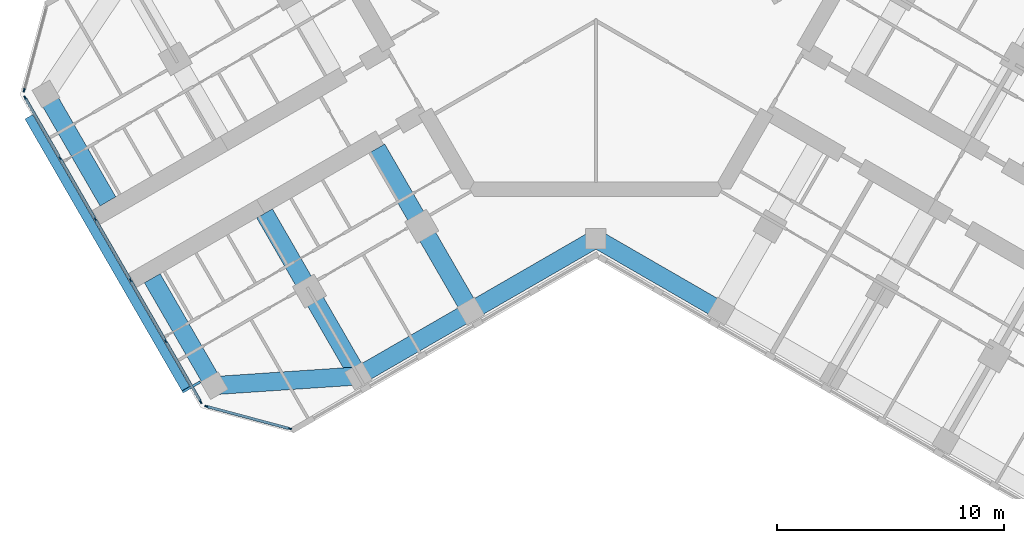
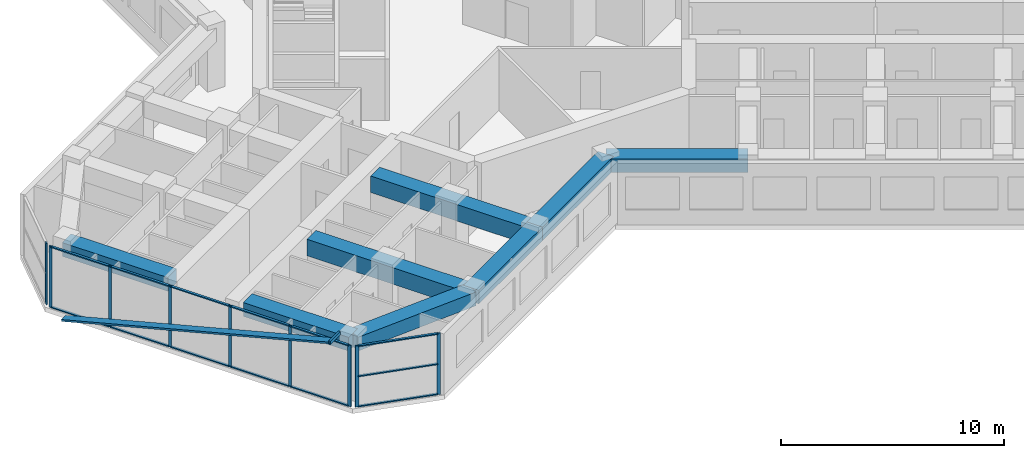
# One storey, part 2 of 16: 24 members, 8 beams, 3 elements without a shape of their own.
"""IFC4 building model written with IfcOpenShell, lengths in metres."""

import ifcopenshell
import ifcopenshell.guid

model = None  # the IFC model being written
_history = None  # IfcOwnerHistory: only IFC2X3 demands one
_inside = {}  # id of a spatial element -> (the spatial element, [elements in it])
_under = {}  # id of a project, library or spatial element -> (it, [spatial elements below it])
_declared = {}  # id of a project -> (the project, [libraries it declares])
_typed = {}  # id of a type object -> (the type object, [elements of that type])
_made_of = {}  # id of a material, layer set ... -> (it, [elements and type objects made of it])


def new_model(schema):
    """Start an empty IFC model of exactly this schema.

    Asked for "IFC4X3", IfcOpenShell would pick the latest addendum, in which some entities
    have other attributes; the version numbers below select the first issue.
    IFC2X3 requires an IfcOwnerHistory on every rooted entity: one is made here for all.
    """
    global model, _history
    if schema == "IFC4X3":
        model = ifcopenshell.file(schema_version=(4, 3, 0, 0))
    else:
        model = ifcopenshell.file(schema=schema)
    _inside.clear()
    _under.clear()
    _declared.clear()
    _typed.clear()
    _made_of.clear()
    _history = None
    if model.schema == "IFC2X3":
        org = make("IfcOrganization", Name="unknown")
        user = make(
            "IfcPersonAndOrganization",
            ThePerson=make("IfcPerson", FamilyName="unknown"),
            TheOrganization=org,
        )
        app = make(
            "IfcApplication",
            ApplicationDeveloper=org,
            Version="unknown",
            ApplicationFullName="unknown",
            ApplicationIdentifier="unknown",
        )
        _history = make(
            "IfcOwnerHistory",
            OwningUser=user,
            OwningApplication=app,
            ChangeAction="ADDED",
            CreationDate=0,
        )
    return model


def make(cls, **values):
    """One entity of the class cls with the attributes given. An attribute that is None is left unset."""
    return model.create_entity(
        cls, **{name: value for name, value in values.items() if value is not None}
    )


def rooted(cls, **values):
    """An entity with a GlobalId (a new one), such as an element, a storey or a relation."""
    return make(cls, GlobalId=ifcopenshell.guid.new(), OwnerHistory=_history, **values)


def si_unit(unit_type, name, prefix=None):
    """IfcSIUnit, for example si_unit("LENGTHUNIT", "METRE", prefix="MILLI")."""
    return make("IfcSIUnit", UnitType=unit_type, Prefix=prefix, Name=name)


def assignment(units):
    """IfcUnitAssignment: the units of a project."""
    return None if units is None else make("IfcUnitAssignment", Units=units)


def point(xyz):
    """IfcCartesianPoint."""
    return None if xyz is None else make("IfcCartesianPoint", Coordinates=xyz)


def direction(xyz):
    """IfcDirection."""
    return None if xyz is None else make("IfcDirection", DirectionRatios=xyz)


def frame(location, z_axis=None, x_axis=None):
    """IfcAxis2Placement3D, a coordinate frame: its origin and axes. An axis left out is left unset."""
    return make(
        "IfcAxis2Placement3D",
        Location=point(location),
        Axis=direction(z_axis),
        RefDirection=direction(x_axis),
    )


def frame_2d(location, x_axis=None):
    """IfcAxis2Placement2D, a coordinate frame in the plane: its origin and x axis."""
    return make(
        "IfcAxis2Placement2D", Location=point(location), RefDirection=direction(x_axis)
    )


def origin():
    """The frame at (0, 0, 0) with its axes left unset."""
    return frame((0.0, 0.0, 0.0))


def origin_2d():
    """The frame at (0, 0) in the plane with its x axis left unset."""
    return frame_2d((0.0, 0.0))


def place(relative_to, where):
    """IfcLocalPlacement: puts the frame where relative to a parent placement (None: the world)."""
    return make(
        "IfcLocalPlacement", PlacementRelTo=relative_to, RelativePlacement=where
    )


def context(
    kind, dimensions, precision=None, world=None, true_north=None, identifier=None
):
    """IfcGeometricRepresentationContext, for example the 3D "Model" context."""
    return make(
        "IfcGeometricRepresentationContext",
        ContextIdentifier=identifier,
        ContextType=kind,
        CoordinateSpaceDimension=dimensions,
        Precision=precision,
        WorldCoordinateSystem=world,
        TrueNorth=true_north,
    )


def subcontext(parent, identifier, kind, view, scale=None):
    """IfcGeometricRepresentationSubContext, for example "Body" below "Model"."""
    return make(
        "IfcGeometricRepresentationSubContext",
        ContextIdentifier=identifier,
        ContextType=kind,
        ParentContext=parent,
        TargetScale=scale,
        TargetView=view,
    )


def project(units=None, contexts=None):
    """IfcProject with its units and contexts."""
    return rooted(
        "IfcProject",
        Name="project",
        RepresentationContexts=contexts,
        UnitsInContext=assignment(units),
    )


def spatial(cls, under=None, at=None, **own):
    """A site, building, storey or space (cls), placed at a placement, below another one or the project."""
    s = rooted(cls, ObjectPlacement=at, **own)
    if under is not None:
        _under.setdefault(under.id(), (under, []))[1].append(s)
    return s


def profile(cls, at=None, kind="AREA", **sizes):
    """A parametric profile (cls). Its sizes go by their IFC names, for example OverallWidth=200.0."""
    return make(cls, ProfileType=kind, Position=at, **sizes)


def rectangle(**sizes):
    """IfcRectangleProfileDef."""
    return profile("IfcRectangleProfileDef", **sizes)


def hollow_rectangle(**sizes):
    """IfcRectangleHollowProfileDef."""
    return profile("IfcRectangleHollowProfileDef", **sizes)


def extrude(swept, where, along, depth):
    """IfcExtrudedAreaSolid: the profile swept, set in the frame where, extruded along a direction by depth."""
    return make(
        "IfcExtrudedAreaSolid",
        SweptArea=swept,
        Position=where,
        ExtrudedDirection=direction(along),
        Depth=depth,
    )


def shape(context_of_items, identifier, shape_type, items):
    """IfcShapeRepresentation: the items that make up one representation, for example the "Body"."""
    return make(
        "IfcShapeRepresentation",
        ContextOfItems=context_of_items,
        RepresentationIdentifier=identifier,
        RepresentationType=shape_type,
        Items=items,
    )


def material(Name=None, Category=None):
    """IfcMaterial."""
    return make("IfcMaterial", Name=Name, Category=Category)


def material_profile(
    of_material, cross_section, Name=None, Category=None, Priority=None
):
    """IfcMaterialProfile: a cross section and its material."""
    return make(
        "IfcMaterialProfile",
        Name=Name,
        Material=of_material,
        Profile=cross_section,
        Priority=Priority,
        Category=Category,
    )


def profile_set(profiles, Name=None, composite=None):
    """IfcMaterialProfileSet."""
    return make(
        "IfcMaterialProfileSet",
        Name=Name,
        MaterialProfiles=profiles,
        CompositeProfile=composite,
    )


def made_of(thing, what):
    """Note that an element or type object is made of a material, layer set ...; save() writes the relation."""
    if what is not None:
        _made_of.setdefault(what.id(), (what, []))[1].append(thing)
    return thing


def type_object(cls, material=None, **own):
    """A type object (cls), such as IfcWallType, which elements share."""
    return made_of(rooted(cls, **own), material)


def element(
    cls,
    number,
    at=None,
    inside=None,
    cuts=None,
    type_object=None,
    material=None,
    context=None,
    identifier="Body",
    shape_type=None,
    held_by="IfcProductDefinitionShape",
    body=None,
    shapes=None,
    **own,
):
    """One element of the class cls, such as IfcWall. Its Tag is "e" and its number.

    at: its placement. inside: the storey or other place that contains it. cuts: it is an
    opening in that element (IfcRelVoidsElement). A single representation is given by context,
    identifier, shape_type and body (its items); several are given by shapes. held_by: the class
    of the entity that holds the representations. save() writes the other relations.
    """
    e = rooted(cls, Tag="e%d" % number, ObjectPlacement=at, **own)
    if body is not None:
        shapes = [shape(context, identifier, shape_type, body)]
    if shapes is not None:
        e.Representation = make(held_by, Representations=shapes)
    if inside is not None:
        _inside.setdefault(inside.id(), (inside, []))[1].append(e)
    if cuts is not None:
        rooted(
            "IfcRelVoidsElement", RelatingBuildingElement=cuts, RelatedOpeningElement=e
        )
    if type_object is not None:
        _typed.setdefault(type_object.id(), (type_object, []))[1].append(e)
    return made_of(e, material)


def aggregate(whole, parts):
    """IfcRelAggregates: a whole, such as a stair, and the parts it consists of."""
    return rooted("IfcRelAggregates", RelatingObject=whole, RelatedObjects=parts)


def save(model, path):
    """Write the relations noted so far, then the file.

    IfcRelAggregates (storeys below a building ...), IfcRelContainedInSpatialStructure (elements
    in a storey), IfcRelDefinesByType, IfcRelAssociatesMaterial and IfcRelDeclares: one each for
    every whole, place, type object, material and project.
    """
    for whole, parts in _under.values():
        aggregate(whole, parts)
    for where, things in _inside.values():
        rooted(
            "IfcRelContainedInSpatialStructure",
            RelatedElements=things,
            RelatingStructure=where,
        )
    for kind, things in _typed.values():
        rooted("IfcRelDefinesByType", RelatedObjects=things, RelatingType=kind)
    for what, things in _made_of.values():
        rooted("IfcRelAssociatesMaterial", RelatedObjects=things, RelatingMaterial=what)
    for by, libraries in _declared.values():
        rooted("IfcRelDeclares", RelatingContext=by, RelatedDefinitions=libraries)
    model.write(path)


model = new_model("IFC4")

# Units and contexts
model_context = context("Model", 3, precision=1e-05, world=origin(), true_north=direction((0.0, 1.0)))
body_context = subcontext(model_context, "Body", "Model", "MODEL_VIEW")
ifc_project = project(units=[si_unit("LENGTHUNIT", "METRE"), si_unit("AREAUNIT", "SQUARE_METRE"), si_unit("VOLUMEUNIT", "CUBIC_METRE"), si_unit("PLANEANGLEUNIT", "RADIAN"), si_unit("MASSUNIT", "GRAM", prefix="KILO")], contexts=[model_context])

# Site, building, storey
site_placement = place(None, origin())
site = spatial("IfcSite", under=ifc_project, at=site_placement, CompositionType="ELEMENT")
building_placement = place(site_placement, origin())
building = spatial("IfcBuilding", under=site, at=building_placement, Name="Kosmar Iwan School Tower", CompositionType="ELEMENT")
storey_placement = place(building_placement, frame((0.0, 0.0, 215.39990234375)))
storey = spatial("IfcBuildingStorey", under=building, at=storey_placement, Name="L54", CompositionType="ELEMENT", Elevation=215.39990234375)

# Members
ifc_material_1 = material(Name="Black anodised aluminium", Category="aluminium")
ifc_material_profile_1 = material_profile(ifc_material_1, rectangle(XDim=0.10009765625, YDim=0.39990234375, at=origin_2d()), Name="FIN 100x400")
ifc_profile_set_1 = profile_set([ifc_material_profile_1], Name="Black anodised aluminium")
member_type_1 = type_object("IfcMemberType", Name="Diagonal fin 100x400", PredefinedType="USERDEFINED", material=ifc_profile_set_1)
member_1_placement = place(storey_placement, frame((-24.926513671875, -6.426025390625, -0.14990234375), z_axis=(0.483800388566, -0.837965217343, 0.2524905514), x_axis=(-0.126245460598, 0.218663124976, 0.96759935999)))
element("IfcMember", 1, at=member_1_placement, inside=storey, type_object=member_type_1, Name="Diagonal fin L54-F11", ObjectType="FIN", PredefinedType="USERDEFINED", context=body_context, shape_type="SweptSolid", body=[
    extrude(rectangle(XDim=0.10009765625, YDim=0.39990234375, at=origin_2d()), origin(), (0.0, 0.0, 1.0), 14.25830078125),
])
ifc_material_2 = material(Name="Steel S355", Category="steel")
ifc_material_profile_2 = material_profile(ifc_material_2, hollow_rectangle(XDim=0.10009765625, YDim=0.199951171875, WallThickness=0.008056640625, at=origin_2d()), Name="RHS 200x100x8")
ifc_profile_set_2 = profile_set([ifc_material_profile_2], Name="Steel S355")
member_type_2 = type_object("IfcMemberType", Name="Fin bracket RHS 200x100", PredefinedType="USERDEFINED", material=ifc_profile_set_2)
member_2_placement = place(storey_placement, frame((-17.396240234375, -18.06884765625, 3.47509765625), z_axis=(-0.866013897511, -0.50001992892, 0.0), x_axis=(0.50001992892, -0.866013897511, 0.0)))
element("IfcMember", 2, at=member_2_placement, inside=storey, type_object=member_type_2, Name="Fin bracket L55", ObjectType="FIN BRACKET", PredefinedType="USERDEFINED", context=body_context, shape_type="SweptSolid", body=[
    extrude(hollow_rectangle(XDim=0.10009765625, YDim=0.199951171875, WallThickness=0.008056640625, at=origin_2d()), origin(), (0.0, 0.0, 1.0), 0.89990234375),
])

# Curtain wall, member
ifc_material_3 = material(Name="Dark glass in black aluminium frame", Category="aluminium")
curtain_wall_type_1 = type_object("IfcCurtainWallType", Name="Chamfer curtain wall dark glass", PredefinedType="USERDEFINED", material=ifc_material_3)
curtain_wall_1_placement = place(storey_placement, origin())
curtain_wall_1 = element("IfcCurtainWall", 3, at=curtain_wall_1_placement, inside=storey, type_object=curtain_wall_type_1, Name="Curtain wall L54-F10", ObjectType="FACETED CURTAIN WALL", PredefinedType="USERDEFINED")
ifc_material_4 = material(Name="Black anodised aluminium", Category="aluminium")
ifc_material_profile_3 = material_profile(ifc_material_4, rectangle(XDim=0.06005859375, YDim=0.159912109375, at=origin_2d()), Name="MULLION 60x160")
ifc_profile_set_3 = profile_set([ifc_material_profile_3], Name="Black anodised aluminium")
member_type_3 = type_object("IfcMemberType", Name="Mullion 60x160", PredefinedType="MULLION", material=ifc_profile_set_3)
member_3_placement = place(storey_placement, frame((-25.141845703125, -5.24853515625, 0.0), z_axis=(0.0, 0.0, 1.0), x_axis=(0.965925875495, -0.258818861462, 0.0)))
member_3 = element("IfcMember", 4, at=member_3_placement, type_object=member_type_3, Name="CW2 mullion 2", PredefinedType="MULLION", context=body_context, shape_type="SweptSolid", body=[
    extrude(rectangle(XDim=0.06005859375, YDim=0.159912109375, at=origin_2d()), origin(), (0.0, 0.0, 1.0), 3.35009765625),
])
aggregate(curtain_wall_1, [member_3])

# Curtain wall, members
ifc_material_5 = material(Name="Dark glass in black aluminium frame", Category="aluminium")
curtain_wall_type_2 = type_object("IfcCurtainWallType", Name="Tower curtain wall dark glass", PredefinedType="USERDEFINED", material=ifc_material_5)
curtain_wall_2_placement = place(storey_placement, origin())
curtain_wall_2 = element("IfcCurtainWall", 5, at=curtain_wall_2_placement, inside=storey, type_object=curtain_wall_type_2, Name="Curtain wall L54-F11", ObjectType="UNITISED CURTAIN WALL", PredefinedType="USERDEFINED")
member_4_placement = place(storey_placement, frame((-25.098388671875, -5.578369140625, 0.0), z_axis=(0.0, 0.0, 1.0), x_axis=(0.866025405329, 0.499999997325, 0.0)))
member_4 = element("IfcMember", 6, at=member_4_placement, type_object=member_type_3, Name="CW1 mullion 1", PredefinedType="MULLION", context=body_context, shape_type="SweptSolid", body=[
    extrude(rectangle(XDim=0.06005859375, YDim=0.159912109375, at=origin_2d()), origin(), (0.0, 0.0, 1.0), 3.35009765625),
])
member_5_placement = place(storey_placement, frame((-23.563720703125, -8.236328125, 0.0), z_axis=(0.0, 0.0, 1.0), x_axis=(0.866025405329, 0.499999997325, 0.0)))
member_5 = element("IfcMember", 7, at=member_5_placement, type_object=member_type_3, Name="CW1 mullion 2", PredefinedType="MULLION", context=body_context, shape_type="SweptSolid", body=[
    extrude(rectangle(XDim=0.06005859375, YDim=0.159912109375, at=origin_2d()), origin(), (0.0, 0.0, 1.0), 3.35009765625),
])
member_6_placement = place(storey_placement, frame((-22.01416015625, -10.92041015625, 0.0), z_axis=(0.0, 0.0, 1.0), x_axis=(0.866025405329, 0.499999997325, 0.0)))
member_6 = element("IfcMember", 8, at=member_6_placement, type_object=member_type_3, Name="CW1 mullion 3", PredefinedType="MULLION", context=body_context, shape_type="SweptSolid", body=[
    extrude(rectangle(XDim=0.06005859375, YDim=0.159912109375, at=origin_2d()), origin(), (0.0, 0.0, 1.0), 3.35009765625),
])
member_7_placement = place(storey_placement, frame((-20.46435546875, -13.6044921875, 0.0), z_axis=(0.0, 0.0, 1.0), x_axis=(0.866025405329, 0.499999997325, 0.0)))
member_7 = element("IfcMember", 9, at=member_7_placement, type_object=member_type_3, Name="CW1 mullion 4", PredefinedType="MULLION", context=body_context, shape_type="SweptSolid", body=[
    extrude(rectangle(XDim=0.06005859375, YDim=0.159912109375, at=origin_2d()), origin(), (0.0, 0.0, 1.0), 3.35009765625),
])
member_8_placement = place(storey_placement, frame((-18.914794921875, -16.28857421875, 0.0), z_axis=(0.0, 0.0, 1.0), x_axis=(0.866025405329, 0.499999997325, 0.0)))
member_8 = element("IfcMember", 10, at=member_8_placement, type_object=member_type_3, Name="CW1 mullion 5", PredefinedType="MULLION", context=body_context, shape_type="SweptSolid", body=[
    extrude(rectangle(XDim=0.06005859375, YDim=0.159912109375, at=origin_2d()), origin(), (0.0, 0.0, 1.0), 3.35009765625),
])
member_9_placement = place(storey_placement, frame((-17.380126953125, -18.94677734375, 0.0), z_axis=(0.0, 0.0, 1.0), x_axis=(0.866025405329, 0.499999997325, 0.0)))
member_9 = element("IfcMember", 11, at=member_9_placement, type_object=member_type_3, Name="CW1 mullion 6", PredefinedType="MULLION", context=body_context, shape_type="SweptSolid", body=[
    extrude(rectangle(XDim=0.06005859375, YDim=0.159912109375, at=origin_2d()), origin(), (0.0, 0.0, 1.0), 3.35009765625),
])

curtain_wall_3_placement = place(storey_placement, origin())
curtain_wall_3 = element("IfcCurtainWall", 12, at=curtain_wall_3_placement, inside=storey, type_object=curtain_wall_type_1, Name="Curtain wall L54-F12", ObjectType="FACETED CURTAIN WALL", PredefinedType="USERDEFINED")
member_10_placement = place(storey_placement, frame((-17.1162109375, -19.149169921875, 0.0), z_axis=(0.0, 0.0, 1.0), x_axis=(0.258818861462, 0.965925875495, 0.0)))
member_10 = element("IfcMember", 13, at=member_10_placement, type_object=member_type_3, Name="CW2 mullion 1", PredefinedType="MULLION", context=body_context, shape_type="SweptSolid", body=[
    extrude(rectangle(XDim=0.06005859375, YDim=0.159912109375, at=origin_2d()), origin(), (0.0, 0.0, 1.0), 3.35009765625),
])
member_11_placement = place(storey_placement, frame((-13.466064453125, -20.127197265625, 0.0), z_axis=(0.0, 0.0, 1.0), x_axis=(0.258818861462, 0.965925875495, 0.0)))
member_11 = element("IfcMember", 14, at=member_11_placement, type_object=member_type_3, Name="CW2 mullion 2", PredefinedType="MULLION", context=body_context, shape_type="SweptSolid", body=[
    extrude(rectangle(XDim=0.06005859375, YDim=0.159912109375, at=origin_2d()), origin(), (0.0, 0.0, 1.0), 3.35009765625),
])

# Beams
ifc_material_6 = material(Name="Concrete C50/60", Category="concrete")
ifc_material_profile_4 = material_profile(ifc_material_6, rectangle(XDim=0.800048828125, YDim=0.75, at=origin_2d()), Name="RC 800x750")
ifc_profile_set_4 = profile_set([ifc_material_profile_4], Name="Concrete C50/60")
beam_type_1 = type_object("IfcBeamType", Name="RC edge beam 800x750", PredefinedType="BEAM", material=ifc_profile_set_4)
beam_1_placement = place(storey_placement, frame((0.0, -11.77783203125, 2.97509765625), z_axis=(-0.866014293216, -0.500019243575, 0.0), x_axis=(0.500019243575, -0.866014293216, 0.0)))
element("IfcBeam", 15, at=beam_1_placement, inside=storey, type_object=beam_type_1, Name="Edge beam BL1", PredefinedType="BEAM", context=body_context, shape_type="SweptSolid", body=[
    extrude(rectangle(XDim=0.800048828125, YDim=0.75, at=origin_2d()), origin(), (0.0, 0.0, 1.0), 6.361083984375),
])
beam_2_placement = place(storey_placement, frame((-5.5087890625, -14.95849609375, 2.97509765625), z_axis=(-0.866033658841, -0.49998570155, 0.0), x_axis=(0.49998570155, -0.866033658841, 0.0)))
element("IfcBeam", 16, at=beam_2_placement, inside=storey, type_object=beam_type_1, Name="Edge beam BL2", PredefinedType="BEAM", context=body_context, shape_type="SweptSolid", body=[
    extrude(rectangle(XDim=0.800048828125, YDim=0.75, at=origin_2d()), origin(), (0.0, 0.0, 1.0), 5.699951171875),
])
beam_3_placement = place(storey_placement, frame((0.0, -11.77783203125, 2.97509765625), z_axis=(0.866014293216, -0.500019243575, 0.0), x_axis=(0.500019243575, 0.866014293216, 0.0)))
element("IfcBeam", 17, at=beam_3_placement, inside=storey, type_object=beam_type_1, Name="Edge beam CR1", PredefinedType="BEAM", context=body_context, shape_type="SweptSolid", body=[
    extrude(rectangle(XDim=0.800048828125, YDim=0.75, at=origin_2d()), origin(), (0.0, 0.0, 1.0), 6.361083984375),
])
ifc_material_7 = material(Name="Concrete C50/60", Category="concrete")
ifc_material_profile_5 = material_profile(ifc_material_7, rectangle(XDim=0.800048828125, YDim=0.75, at=origin_2d()), Name="RC 800x750")
ifc_profile_set_5 = profile_set([ifc_material_profile_5], Name="Concrete C50/60")
beam_type_2 = type_object("IfcBeamType", Name="RC tip beam 800x750", PredefinedType="BEAM", material=ifc_profile_set_5)
beam_4_placement = place(storey_placement, frame((-10.445068359375, -17.808349609375, 2.97509765625), z_axis=(-0.997755118724, -0.066968074933, 0.0), x_axis=(0.066968074933, -0.997755118724, 0.0)))
element("IfcBeam", 18, at=beam_4_placement, inside=storey, type_object=beam_type_2, Name="Tip beam BL", PredefinedType="BEAM", context=body_context, shape_type="SweptSolid", body=[
    extrude(rectangle(XDim=0.800048828125, YDim=0.75, at=origin_2d()), origin(), (0.0, 0.0, 1.0), 6.3505859375),
])
beam_5_placement = place(storey_placement, frame((-16.781494140625, -18.233642578125, 2.97509765625), z_axis=(-0.500002931134, 0.866023711487, 0.0), x_axis=(-0.866023711487, -0.500002931134, 0.0)))
element("IfcBeam", 19, at=beam_5_placement, inside=storey, type_object=beam_type_2, Name="Tip beam BL to corridor wall", PredefinedType="BEAM", context=body_context, shape_type="SweptSolid", body=[
    extrude(rectangle(XDim=0.800048828125, YDim=0.75, at=origin_2d()), origin(), (0.0, 0.0, 1.0), 5.4501953125),
])
beam_6_placement = place(storey_placement, frame((-24.181396484375, -5.41650390625, 2.97509765625), z_axis=(0.499988730927, -0.866031909889, 0.0), x_axis=(0.866031909889, 0.499988730927, 0.0)))
element("IfcBeam", 20, at=beam_6_placement, inside=storey, type_object=beam_type_2, Name="Tip beam BR to corridor wall", PredefinedType="BEAM", context=body_context, shape_type="SweptSolid", body=[
    extrude(rectangle(XDim=0.800048828125, YDim=0.75, at=origin_2d()), origin(), (0.0, 0.0, 1.0), 5.449951171875),
])
ifc_material_8 = material(Name="Concrete C50/60", Category="concrete")
ifc_material_profile_6 = material_profile(ifc_material_8, rectangle(XDim=0.800048828125, YDim=0.89990234375, at=origin_2d()), Name="RC 800x900")
ifc_profile_set_6 = profile_set([ifc_material_profile_6], Name="Concrete C50/60")
beam_type_3 = type_object("IfcBeamType", Name="RC transverse beam 800x900", PredefinedType="BEAM", material=ifc_profile_set_6)
beam_7_placement = place(storey_placement, frame((-5.5087890625, -14.95849609375, 2.900146484375), z_axis=(-0.499996545922, 0.866027397988, 0.0), x_axis=(-0.866027397988, -0.499996545922, 0.0)))
element("IfcBeam", 21, at=beam_7_placement, inside=storey, type_object=beam_type_3, Name="Transverse beam BL1", PredefinedType="BEAM", context=body_context, shape_type="SweptSolid", body=[
    extrude(rectangle(XDim=0.800048828125, YDim=0.89990234375, at=origin_2d()), origin(), (0.0, 0.0, 1.0), 8.25),
])
beam_8_placement = place(storey_placement, frame((-10.445068359375, -17.808349609375, 2.900146484375), z_axis=(-0.500009360108, 0.866019999656, 0.0), x_axis=(-0.866019999656, -0.500009360108, 0.0)))
element("IfcBeam", 22, at=beam_8_placement, inside=storey, type_object=beam_type_3, Name="Transverse beam BL2", PredefinedType="BEAM", context=body_context, shape_type="SweptSolid", body=[
    extrude(rectangle(XDim=0.800048828125, YDim=0.89990234375, at=origin_2d()), origin(), (0.0, 0.0, 1.0), 8.249755859375),
])

# Member
ifc_material_9 = material(Name="Black anodised aluminium", Category="aluminium")
ifc_material_profile_7 = material_profile(ifc_material_9, rectangle(XDim=0.1201171875, YDim=0.06005859375, at=origin_2d()), Name="TRANSOM 60x120")
ifc_profile_set_7 = profile_set([ifc_material_profile_7], Name="Black anodised aluminium")
member_type_4 = type_object("IfcMemberType", Name="Transom 60x120", PredefinedType="USERDEFINED", material=ifc_profile_set_7)
member_12_placement = place(storey_placement, frame((-25.08349609375, -5.604248046875, 0.030029296875), z_axis=(0.499986971506, -0.866032925658, 0.0), x_axis=(0.866032925658, 0.499986971506, 0.0)))
member_12 = element("IfcMember", 23, at=member_12_placement, type_object=member_type_4, Name="CW1 transom 1.1", ObjectType="TRANSOM", PredefinedType="USERDEFINED", context=body_context, shape_type="SweptSolid", body=[
    extrude(rectangle(XDim=0.1201171875, YDim=0.06005859375, at=origin_2d()), origin(), (0.0, 0.0, 1.0), 3.00927734375),
])

member_13_placement = place(storey_placement, frame((-25.08349609375, -5.604248046875, 3.320068359375), z_axis=(0.499986971506, -0.866032925658, 0.0), x_axis=(0.866032925658, 0.499986971506, 0.0)))
member_13 = element("IfcMember", 24, at=member_13_placement, type_object=member_type_4, Name="CW1 transom 1.2", ObjectType="TRANSOM", PredefinedType="USERDEFINED", context=body_context, shape_type="SweptSolid", body=[
    extrude(rectangle(XDim=0.1201171875, YDim=0.06005859375, at=origin_2d()), origin(), (0.0, 0.0, 1.0), 3.00927734375),
])

member_14_placement = place(storey_placement, frame((-23.548828125, -8.262451171875, 0.030029296875), z_axis=(0.500035348339, -0.866004994449, 0.0), x_axis=(0.866004994449, 0.500035348339, 0.0)))
member_14 = element("IfcMember", 25, at=member_14_placement, type_object=member_type_4, Name="CW1 transom 2.1", ObjectType="TRANSOM", PredefinedType="USERDEFINED", context=body_context, shape_type="SweptSolid", body=[
    extrude(rectangle(XDim=0.1201171875, YDim=0.06005859375, at=origin_2d()), origin(), (0.0, 0.0, 1.0), 3.039306640625),
])

member_15_placement = place(storey_placement, frame((-23.548828125, -8.262451171875, 3.320068359375), z_axis=(0.500035348339, -0.866004994449, 0.0), x_axis=(0.866004994449, 0.500035348339, 0.0)))
member_15 = element("IfcMember", 26, at=member_15_placement, type_object=member_type_4, Name="CW1 transom 2.2", ObjectType="TRANSOM", PredefinedType="USERDEFINED", context=body_context, shape_type="SweptSolid", body=[
    extrude(rectangle(XDim=0.1201171875, YDim=0.06005859375, at=origin_2d()), origin(), (0.0, 0.0, 1.0), 3.039306640625),
])

member_16_placement = place(storey_placement, frame((-21.9990234375, -10.946533203125, 0.030029296875), z_axis=(0.499975102327, -0.866039777986, 0.0), x_axis=(0.866039777986, 0.499975102327, 0.0)))
member_16 = element("IfcMember", 27, at=member_16_placement, type_object=member_type_4, Name="CW1 transom 3.1", ObjectType="TRANSOM", PredefinedType="USERDEFINED", context=body_context, shape_type="SweptSolid", body=[
    extrude(rectangle(XDim=0.1201171875, YDim=0.06005859375, at=origin_2d()), origin(), (0.0, 0.0, 1.0), 3.039306640625),
])

member_17_placement = place(storey_placement, frame((-21.9990234375, -10.946533203125, 3.320068359375), z_axis=(0.499975102327, -0.866039777986, 0.0), x_axis=(0.866039777986, 0.499975102327, 0.0)))
member_17 = element("IfcMember", 28, at=member_17_placement, type_object=member_type_4, Name="CW1 transom 3.2", ObjectType="TRANSOM", PredefinedType="USERDEFINED", context=body_context, shape_type="SweptSolid", body=[
    extrude(rectangle(XDim=0.1201171875, YDim=0.06005859375, at=origin_2d()), origin(), (0.0, 0.0, 1.0), 3.039306640625),
])

member_18_placement = place(storey_placement, frame((-20.449462890625, -13.630615234375, 0.030029296875), z_axis=(0.500035348339, -0.866004994449, 0.0), x_axis=(0.866004994449, 0.500035348339, 0.0)))
member_18 = element("IfcMember", 29, at=member_18_placement, type_object=member_type_4, Name="CW1 transom 4.1", ObjectType="TRANSOM", PredefinedType="USERDEFINED", context=body_context, shape_type="SweptSolid", body=[
    extrude(rectangle(XDim=0.1201171875, YDim=0.06005859375, at=origin_2d()), origin(), (0.0, 0.0, 1.0), 3.039306640625),
])

member_19_placement = place(storey_placement, frame((-20.449462890625, -13.630615234375, 3.320068359375), z_axis=(0.500035348339, -0.866004994449, 0.0), x_axis=(0.866004994449, 0.500035348339, 0.0)))
member_19 = element("IfcMember", 30, at=member_19_placement, type_object=member_type_4, Name="CW1 transom 4.2", ObjectType="TRANSOM", PredefinedType="USERDEFINED", context=body_context, shape_type="SweptSolid", body=[
    extrude(rectangle(XDim=0.1201171875, YDim=0.06005859375, at=origin_2d()), origin(), (0.0, 0.0, 1.0), 3.039306640625),
])

member_20_placement = place(storey_placement, frame((-18.89990234375, -16.314697265625, 0.030029296875), z_axis=(0.500022102064, -0.866012642776, 0.0), x_axis=(0.866012642776, 0.500022102064, 0.0)))
member_20 = element("IfcMember", 31, at=member_20_placement, type_object=member_type_4, Name="CW1 transom 5.1", ObjectType="TRANSOM", PredefinedType="USERDEFINED", context=body_context, shape_type="SweptSolid", body=[
    extrude(rectangle(XDim=0.1201171875, YDim=0.06005859375, at=origin_2d()), origin(), (0.0, 0.0, 1.0), 3.009033203125),
])

member_21_placement = place(storey_placement, frame((-18.89990234375, -16.314697265625, 3.320068359375), z_axis=(0.500022102064, -0.866012642776, 0.0), x_axis=(0.866012642776, 0.500022102064, 0.0)))
member_21 = element("IfcMember", 32, at=member_21_placement, type_object=member_type_4, Name="CW1 transom 5.2", ObjectType="TRANSOM", PredefinedType="USERDEFINED", context=body_context, shape_type="SweptSolid", body=[
    extrude(rectangle(XDim=0.1201171875, YDim=0.06005859375, at=origin_2d()), origin(), (0.0, 0.0, 1.0), 3.009033203125),
])

aggregate(curtain_wall_2, [member_4, member_5, member_6, member_7, member_8, member_9, member_12, member_13, member_14, member_15, member_16, member_17, member_18, member_19, member_20, member_21])

member_22_placement = place(storey_placement, frame((-17.08740234375, -19.156982421875, 0.030029296875), z_axis=(0.965940141052, -0.258765615768, 0.0), x_axis=(0.258765615768, 0.965940141052, 0.0)))
member_22 = element("IfcMember", 33, at=member_22_placement, type_object=member_type_4, Name="CW2 transom 1.1", ObjectType="TRANSOM", PredefinedType="USERDEFINED", context=body_context, shape_type="SweptSolid", body=[
    extrude(rectangle(XDim=0.1201171875, YDim=0.06005859375, at=origin_2d()), origin(), (0.0, 0.0, 1.0), 3.71923828125),
])

member_23_placement = place(storey_placement, frame((-17.08740234375, -19.156982421875, 1.675048828125), z_axis=(0.965940141052, -0.258765615768, 0.0), x_axis=(0.258765615768, 0.965940141052, 0.0)))
member_23 = element("IfcMember", 34, at=member_23_placement, type_object=member_type_4, Name="CW2 transom 1.2", ObjectType="TRANSOM", PredefinedType="USERDEFINED", context=body_context, shape_type="SweptSolid", body=[
    extrude(rectangle(XDim=0.1201171875, YDim=0.06005859375, at=origin_2d()), origin(), (0.0, 0.0, 1.0), 3.71923828125),
])

member_24_placement = place(storey_placement, frame((-17.08740234375, -19.156982421875, 3.320068359375), z_axis=(0.965940141052, -0.258765615768, 0.0), x_axis=(0.258765615768, 0.965940141052, 0.0)))
member_24 = element("IfcMember", 35, at=member_24_placement, type_object=member_type_4, Name="CW2 transom 1.3", ObjectType="TRANSOM", PredefinedType="USERDEFINED", context=body_context, shape_type="SweptSolid", body=[
    extrude(rectangle(XDim=0.1201171875, YDim=0.06005859375, at=origin_2d()), origin(), (0.0, 0.0, 1.0), 3.71923828125),
])

aggregate(curtain_wall_3, [member_10, member_11, member_22, member_23, member_24])

save(model, "model.ifc")
